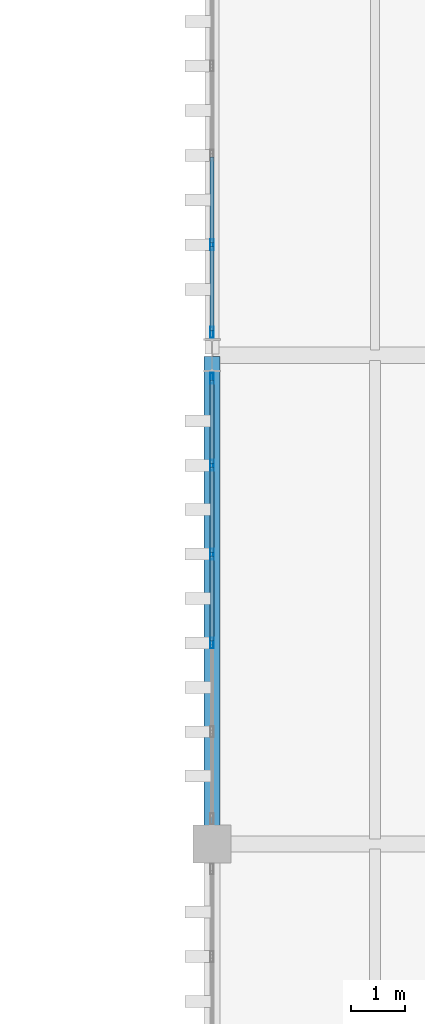
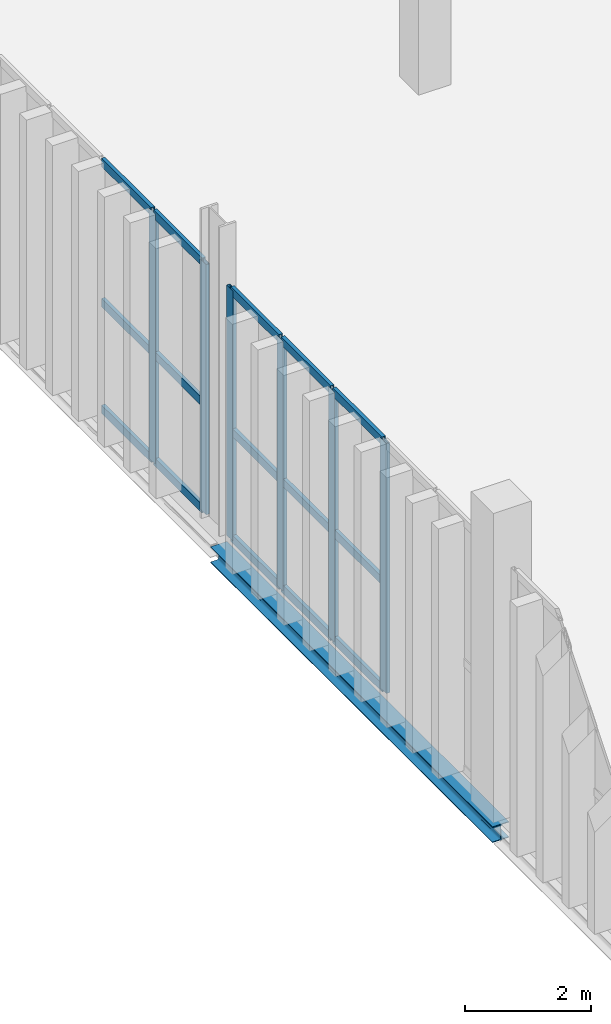
# One storey, part 76 of 237: 21 members, 1 beam, 2 elements without a shape of their own.
"""IFC4 building model written with IfcOpenShell, lengths in metres."""

import ifcopenshell
import ifcopenshell.guid

model = None  # the IFC model being written
_history = None  # IfcOwnerHistory: only IFC2X3 demands one
_inside = {}  # id of a spatial element -> (the spatial element, [elements in it])
_under = {}  # id of a project, library or spatial element -> (it, [spatial elements below it])
_declared = {}  # id of a project -> (the project, [libraries it declares])
_typed = {}  # id of a type object -> (the type object, [elements of that type])
_made_of = {}  # id of a material, layer set ... -> (it, [elements and type objects made of it])


def new_model(schema):
    """Start an empty IFC model of exactly this schema.

    Asked for "IFC4X3", IfcOpenShell would pick the latest addendum, in which some entities
    have other attributes; the version numbers below select the first issue.
    IFC2X3 requires an IfcOwnerHistory on every rooted entity: one is made here for all.
    """
    global model, _history
    if schema == "IFC4X3":
        model = ifcopenshell.file(schema_version=(4, 3, 0, 0))
    else:
        model = ifcopenshell.file(schema=schema)
    _inside.clear()
    _under.clear()
    _declared.clear()
    _typed.clear()
    _made_of.clear()
    _history = None
    if model.schema == "IFC2X3":
        org = make("IfcOrganization", Name="unknown")
        user = make(
            "IfcPersonAndOrganization",
            ThePerson=make("IfcPerson", FamilyName="unknown"),
            TheOrganization=org,
        )
        app = make(
            "IfcApplication",
            ApplicationDeveloper=org,
            Version="unknown",
            ApplicationFullName="unknown",
            ApplicationIdentifier="unknown",
        )
        _history = make(
            "IfcOwnerHistory",
            OwningUser=user,
            OwningApplication=app,
            ChangeAction="ADDED",
            CreationDate=0,
        )
    return model


def make(cls, **values):
    """One entity of the class cls with the attributes given. An attribute that is None is left unset."""
    return model.create_entity(
        cls, **{name: value for name, value in values.items() if value is not None}
    )


def rooted(cls, **values):
    """An entity with a GlobalId (a new one), such as an element, a storey or a relation."""
    return make(cls, GlobalId=ifcopenshell.guid.new(), OwnerHistory=_history, **values)


def si_unit(unit_type, name, prefix=None):
    """IfcSIUnit, for example si_unit("LENGTHUNIT", "METRE", prefix="MILLI")."""
    return make("IfcSIUnit", UnitType=unit_type, Prefix=prefix, Name=name)


def assignment(units):
    """IfcUnitAssignment: the units of a project."""
    return None if units is None else make("IfcUnitAssignment", Units=units)


def point(xyz):
    """IfcCartesianPoint."""
    return None if xyz is None else make("IfcCartesianPoint", Coordinates=xyz)


def direction(xyz):
    """IfcDirection."""
    return None if xyz is None else make("IfcDirection", DirectionRatios=xyz)


def frame(location, z_axis=None, x_axis=None):
    """IfcAxis2Placement3D, a coordinate frame: its origin and axes. An axis left out is left unset."""
    return make(
        "IfcAxis2Placement3D",
        Location=point(location),
        Axis=direction(z_axis),
        RefDirection=direction(x_axis),
    )


def frame_2d(location, x_axis=None):
    """IfcAxis2Placement2D, a coordinate frame in the plane: its origin and x axis."""
    return make(
        "IfcAxis2Placement2D", Location=point(location), RefDirection=direction(x_axis)
    )


def origin():
    """The frame at (0, 0, 0) with its axes left unset."""
    return frame((0.0, 0.0, 0.0))


def origin_2d():
    """The frame at (0, 0) in the plane with its x axis left unset."""
    return frame_2d((0.0, 0.0))


def place(relative_to, where):
    """IfcLocalPlacement: puts the frame where relative to a parent placement (None: the world)."""
    return make(
        "IfcLocalPlacement", PlacementRelTo=relative_to, RelativePlacement=where
    )


def context(
    kind, dimensions, precision=None, world=None, true_north=None, identifier=None
):
    """IfcGeometricRepresentationContext, for example the 3D "Model" context."""
    return make(
        "IfcGeometricRepresentationContext",
        ContextIdentifier=identifier,
        ContextType=kind,
        CoordinateSpaceDimension=dimensions,
        Precision=precision,
        WorldCoordinateSystem=world,
        TrueNorth=true_north,
    )


def subcontext(parent, identifier, kind, view, scale=None):
    """IfcGeometricRepresentationSubContext, for example "Body" below "Model"."""
    return make(
        "IfcGeometricRepresentationSubContext",
        ContextIdentifier=identifier,
        ContextType=kind,
        ParentContext=parent,
        TargetScale=scale,
        TargetView=view,
    )


def project(units=None, contexts=None):
    """IfcProject with its units and contexts."""
    return rooted(
        "IfcProject",
        Name="project",
        RepresentationContexts=contexts,
        UnitsInContext=assignment(units),
    )


def spatial(cls, under=None, at=None, **own):
    """A site, building, storey or space (cls), placed at a placement, below another one or the project."""
    s = rooted(cls, ObjectPlacement=at, **own)
    if under is not None:
        _under.setdefault(under.id(), (under, []))[1].append(s)
    return s


def profile(cls, at=None, kind="AREA", **sizes):
    """A parametric profile (cls). Its sizes go by their IFC names, for example OverallWidth=200.0."""
    return make(cls, ProfileType=kind, Position=at, **sizes)


def hollow_rectangle(**sizes):
    """IfcRectangleHollowProfileDef."""
    return profile("IfcRectangleHollowProfileDef", **sizes)


def i_section(**sizes):
    """IfcIShapeProfileDef."""
    return profile("IfcIShapeProfileDef", **sizes)


def extrude(swept, where, along, depth):
    """IfcExtrudedAreaSolid: the profile swept, set in the frame where, extruded along a direction by depth."""
    return make(
        "IfcExtrudedAreaSolid",
        SweptArea=swept,
        Position=where,
        ExtrudedDirection=direction(along),
        Depth=depth,
    )


def shape(context_of_items, identifier, shape_type, items):
    """IfcShapeRepresentation: the items that make up one representation, for example the "Body"."""
    return make(
        "IfcShapeRepresentation",
        ContextOfItems=context_of_items,
        RepresentationIdentifier=identifier,
        RepresentationType=shape_type,
        Items=items,
    )


def material(Name=None, Category=None):
    """IfcMaterial."""
    return make("IfcMaterial", Name=Name, Category=Category)


def layer(
    of_material, thickness, ventilated=None, Name=None, Category=None, Priority=None
):
    """IfcMaterialLayer: one layer of a wall or slab, of a material (None: an air gap)."""
    return make(
        "IfcMaterialLayer",
        Material=of_material,
        LayerThickness=thickness,
        IsVentilated=ventilated,
        Name=Name,
        Category=Category,
        Priority=Priority,
    )


def layer_set(layers, Name=None):
    """IfcMaterialLayerSet."""
    return make("IfcMaterialLayerSet", MaterialLayers=layers, LayerSetName=Name)


def material_profile(
    of_material, cross_section, Name=None, Category=None, Priority=None
):
    """IfcMaterialProfile: a cross section and its material."""
    return make(
        "IfcMaterialProfile",
        Name=Name,
        Material=of_material,
        Profile=cross_section,
        Priority=Priority,
        Category=Category,
    )


def profile_set(profiles, Name=None, composite=None):
    """IfcMaterialProfileSet."""
    return make(
        "IfcMaterialProfileSet",
        Name=Name,
        MaterialProfiles=profiles,
        CompositeProfile=composite,
    )


def made_of(thing, what):
    """Note that an element or type object is made of a material, layer set ...; save() writes the relation."""
    if what is not None:
        _made_of.setdefault(what.id(), (what, []))[1].append(thing)
    return thing


def type_object(cls, material=None, **own):
    """A type object (cls), such as IfcWallType, which elements share."""
    return made_of(rooted(cls, **own), material)


def element(
    cls,
    number,
    at=None,
    inside=None,
    cuts=None,
    type_object=None,
    material=None,
    context=None,
    identifier="Body",
    shape_type=None,
    held_by="IfcProductDefinitionShape",
    body=None,
    shapes=None,
    **own,
):
    """One element of the class cls, such as IfcWall. Its Tag is "e" and its number.

    at: its placement. inside: the storey or other place that contains it. cuts: it is an
    opening in that element (IfcRelVoidsElement). A single representation is given by context,
    identifier, shape_type and body (its items); several are given by shapes. held_by: the class
    of the entity that holds the representations. save() writes the other relations.
    """
    e = rooted(cls, Tag="e%d" % number, ObjectPlacement=at, **own)
    if body is not None:
        shapes = [shape(context, identifier, shape_type, body)]
    if shapes is not None:
        e.Representation = make(held_by, Representations=shapes)
    if inside is not None:
        _inside.setdefault(inside.id(), (inside, []))[1].append(e)
    if cuts is not None:
        rooted(
            "IfcRelVoidsElement", RelatingBuildingElement=cuts, RelatedOpeningElement=e
        )
    if type_object is not None:
        _typed.setdefault(type_object.id(), (type_object, []))[1].append(e)
    return made_of(e, material)


def aggregate(whole, parts):
    """IfcRelAggregates: a whole, such as a stair, and the parts it consists of."""
    return rooted("IfcRelAggregates", RelatingObject=whole, RelatedObjects=parts)


def save(model, path):
    """Write the relations noted so far, then the file.

    IfcRelAggregates (storeys below a building ...), IfcRelContainedInSpatialStructure (elements
    in a storey), IfcRelDefinesByType, IfcRelAssociatesMaterial and IfcRelDeclares: one each for
    every whole, place, type object, material and project.
    """
    for whole, parts in _under.values():
        aggregate(whole, parts)
    for where, things in _inside.values():
        rooted(
            "IfcRelContainedInSpatialStructure",
            RelatedElements=things,
            RelatingStructure=where,
        )
    for kind, things in _typed.values():
        rooted("IfcRelDefinesByType", RelatedObjects=things, RelatingType=kind)
    for what, things in _made_of.values():
        rooted("IfcRelAssociatesMaterial", RelatedObjects=things, RelatingMaterial=what)
    for by, libraries in _declared.values():
        rooted("IfcRelDeclares", RelatingContext=by, RelatedDefinitions=libraries)
    model.write(path)


model = new_model("IFC4")

# Units and contexts
model_context = context("Model", 3, precision=1e-05, world=origin(), true_north=direction((0.0, 1.0)))
body_context = subcontext(model_context, "Body", "Model", "MODEL_VIEW")
ifc_project = project(units=[si_unit("LENGTHUNIT", "METRE"), si_unit("AREAUNIT", "SQUARE_METRE"), si_unit("VOLUMEUNIT", "CUBIC_METRE"), si_unit("PLANEANGLEUNIT", "RADIAN"), si_unit("MASSUNIT", "GRAM", prefix="KILO")], contexts=[model_context])

# Site, building, storey
site_placement = place(None, origin())
site = spatial("IfcSite", under=ifc_project, at=site_placement, CompositionType="ELEMENT")
building_placement = place(site_placement, origin())
building = spatial("IfcBuilding", under=site, at=building_placement, Name="Barlavento Convention Centre", CompositionType="ELEMENT")
storey_placement = place(building_placement, frame((0.0, 0.0, 12.0)))
storey = spatial("IfcBuildingStorey", under=building, at=storey_placement, Name="L02", CompositionType="ELEMENT", Elevation=12.0)

# Curtain wall, members
ifc_material_1 = material(Name="Powder-coated aluminium and Low-E glass", Category="aluminium")
ifc_layer = layer(ifc_material_1, 0.195068359375)
ifc_layer_set = layer_set([ifc_layer], Name="ARC-CW-BALL-L02")
curtain_wall_type = type_object("IfcCurtainWallType", Name="ARC-CW-BALL-L02", PredefinedType="NOTDEFINED", material=ifc_layer_set)
curtain_wall_1_placement = place(storey_placement, origin())
curtain_wall_1 = element("IfcCurtainWall", 1, at=curtain_wall_1_placement, inside=storey, type_object=curtain_wall_type, Name="L02 unitised curtain wall CW07", PredefinedType="NOTDEFINED")
ifc_material_2 = material(Name="Powder-coated aluminium", Category="aluminium")
ifc_material_profile_1 = material_profile(ifc_material_2, hollow_rectangle(XDim=0.06494140625, YDim=0.199951171875, WallThickness=0.0048828125, at=origin_2d()), Name="AL-MULL 65x200x5")
ifc_profile_set_1 = profile_set([ifc_material_profile_1], Name="Powder-coated aluminium")
member_type_1 = type_object("IfcMemberType", Name="ARC-CWM-65X200", PredefinedType="MULLION", material=ifc_profile_set_1)
member_1_placement = place(storey_placement, frame((126.0, 21.701904296875, 0.0), z_axis=(0.0, 0.0, 1.0), x_axis=(-1.0, 0.0, 0.0)))
member_1 = element("IfcMember", 2, at=member_1_placement, type_object=member_type_1, Name="CW07 mullion 3", PredefinedType="MULLION", context=body_context, shape_type="SweptSolid", body=[
    extrude(hollow_rectangle(XDim=0.06494140625, YDim=0.199951171875, WallThickness=0.0048828125, at=origin_2d()), origin(), (0.0, 0.0, 1.0), 4.85009765625),
])
member_2_placement = place(storey_placement, frame((126.0, 23.337890625, 0.0), z_axis=(0.0, 0.0, 1.0), x_axis=(-1.0, 0.0, 0.0)))
member_2 = element("IfcMember", 3, at=member_2_placement, type_object=member_type_1, Name="CW07 mullion 4", PredefinedType="MULLION", context=body_context, shape_type="SweptSolid", body=[
    extrude(hollow_rectangle(XDim=0.06494140625, YDim=0.199951171875, WallThickness=0.0048828125, at=origin_2d()), origin(), (0.0, 0.0, 1.0), 4.85009765625),
])
member_3_placement = place(storey_placement, frame((126.0, 24.97412109375, 0.0), z_axis=(0.0, 0.0, 1.0), x_axis=(-1.0, 0.0, 0.0)))
member_3 = element("IfcMember", 4, at=member_3_placement, type_object=member_type_1, Name="CW07 mullion 5", PredefinedType="MULLION", context=body_context, shape_type="SweptSolid", body=[
    extrude(hollow_rectangle(XDim=0.06494140625, YDim=0.199951171875, WallThickness=0.0048828125, at=origin_2d()), origin(), (0.0, 0.0, 1.0), 4.85009765625),
])
member_4_placement = place(storey_placement, frame((126.0, 26.577392578125, 0.0), z_axis=(0.0, 0.0, 1.0), x_axis=(-1.0, 0.0, 0.0)))
member_4 = element("IfcMember", 5, at=member_4_placement, type_object=member_type_1, Name="CW07 mullion 6", PredefinedType="MULLION", context=body_context, shape_type="SweptSolid", body=[
    extrude(hollow_rectangle(XDim=0.06494140625, YDim=0.199951171875, WallThickness=0.0048828125, at=origin_2d()), origin(), (0.0, 0.0, 1.0), 4.85009765625),
])

curtain_wall_2_placement = place(storey_placement, origin())
curtain_wall_2 = element("IfcCurtainWall", 6, at=curtain_wall_2_placement, inside=storey, type_object=curtain_wall_type, Name="L02 unitised curtain wall CW07", PredefinedType="NOTDEFINED")
member_5_placement = place(storey_placement, frame((126.0, 27.422607421875, 0.0), z_axis=(0.0, 0.0, 1.0), x_axis=(-1.0, 0.0, 0.0)))
member_5 = element("IfcMember", 7, at=member_5_placement, type_object=member_type_1, Name="CW07 mullion 1", PredefinedType="MULLION", context=body_context, shape_type="SweptSolid", body=[
    extrude(hollow_rectangle(XDim=0.06494140625, YDim=0.199951171875, WallThickness=0.0048828125, at=origin_2d()), origin(), (0.0, 0.0, 1.0), 4.85009765625),
])
member_6_placement = place(storey_placement, frame((126.0, 29.035888671875, 0.0), z_axis=(0.0, 0.0, 1.0), x_axis=(-1.0, 0.0, 0.0)))
member_6 = element("IfcMember", 8, at=member_6_placement, type_object=member_type_1, Name="CW07 mullion 2", PredefinedType="MULLION", context=body_context, shape_type="SweptSolid", body=[
    extrude(hollow_rectangle(XDim=0.06494140625, YDim=0.199951171875, WallThickness=0.0048828125, at=origin_2d()), origin(), (0.0, 0.0, 1.0), 4.85009765625),
])

# Member
ifc_material_profile_2 = material_profile(ifc_material_2, hollow_rectangle(XDim=0.06494140625, YDim=0.159912109375, WallThickness=0.0048828125, at=origin_2d()), Name="AL-TRAN 65x160x5")
ifc_profile_set_2 = profile_set([ifc_material_profile_2], Name="Powder-coated aluminium")
member_type_2 = type_object("IfcMemberType", Name="ARC-CWT-65X160", PredefinedType="USERDEFINED", material=ifc_profile_set_2)
member_7_placement = place(storey_placement, frame((126.0, 21.734619140625, 0.032470703125), z_axis=(0.0, 1.0, 0.0), x_axis=(-1.0, 0.0, 0.0)))
member_7 = element("IfcMember", 9, at=member_7_placement, type_object=member_type_2, Name="CW07 transom 3.1", ObjectType="TRANSOM", PredefinedType="USERDEFINED", context=body_context, shape_type="SweptSolid", body=[
    extrude(hollow_rectangle(XDim=0.06494140625, YDim=0.159912109375, WallThickness=0.0048828125, at=origin_2d()), origin(), (0.0, 0.0, 1.0), 1.57080078125),
])

member_8_placement = place(storey_placement, frame((126.0, 21.734619140625, 2.10009765625), z_axis=(0.0, 1.0, 0.0), x_axis=(-1.0, 0.0, 0.0)))
member_8 = element("IfcMember", 10, at=member_8_placement, type_object=member_type_2, Name="CW07 transom 3.2", ObjectType="TRANSOM", PredefinedType="USERDEFINED", context=body_context, shape_type="SweptSolid", body=[
    extrude(hollow_rectangle(XDim=0.06494140625, YDim=0.159912109375, WallThickness=0.0048828125, at=origin_2d()), origin(), (0.0, 0.0, 1.0), 1.57080078125),
])

member_9_placement = place(storey_placement, frame((126.0, 21.734619140625, 4.8173828125), z_axis=(0.0, 1.0, 0.0), x_axis=(-1.0, 0.0, 0.0)))
member_9 = element("IfcMember", 11, at=member_9_placement, type_object=member_type_2, Name="CW07 transom 3.3", ObjectType="TRANSOM", PredefinedType="USERDEFINED", context=body_context, shape_type="SweptSolid", body=[
    extrude(hollow_rectangle(XDim=0.06494140625, YDim=0.159912109375, WallThickness=0.0048828125, at=origin_2d()), origin(), (0.0, 0.0, 1.0), 1.57080078125),
])

member_10_placement = place(storey_placement, frame((126.0, 23.37060546875, 0.032470703125), z_axis=(0.0, 1.0, 0.0), x_axis=(-1.0, 0.0, 0.0)))
member_10 = element("IfcMember", 12, at=member_10_placement, type_object=member_type_2, Name="CW07 transom 4.1", ObjectType="TRANSOM", PredefinedType="USERDEFINED", context=body_context, shape_type="SweptSolid", body=[
    extrude(hollow_rectangle(XDim=0.06494140625, YDim=0.159912109375, WallThickness=0.0048828125, at=origin_2d()), origin(), (0.0, 0.0, 1.0), 1.57080078125),
])

member_11_placement = place(storey_placement, frame((126.0, 23.37060546875, 2.10009765625), z_axis=(0.0, 1.0, 0.0), x_axis=(-1.0, 0.0, 0.0)))
member_11 = element("IfcMember", 13, at=member_11_placement, type_object=member_type_2, Name="CW07 transom 4.2", ObjectType="TRANSOM", PredefinedType="USERDEFINED", context=body_context, shape_type="SweptSolid", body=[
    extrude(hollow_rectangle(XDim=0.06494140625, YDim=0.159912109375, WallThickness=0.0048828125, at=origin_2d()), origin(), (0.0, 0.0, 1.0), 1.57080078125),
])

member_12_placement = place(storey_placement, frame((126.0, 23.37060546875, 4.8173828125), z_axis=(0.0, 1.0, 0.0), x_axis=(-1.0, 0.0, 0.0)))
member_12 = element("IfcMember", 14, at=member_12_placement, type_object=member_type_2, Name="CW07 transom 4.3", ObjectType="TRANSOM", PredefinedType="USERDEFINED", context=body_context, shape_type="SweptSolid", body=[
    extrude(hollow_rectangle(XDim=0.06494140625, YDim=0.159912109375, WallThickness=0.0048828125, at=origin_2d()), origin(), (0.0, 0.0, 1.0), 1.57080078125),
])

member_13_placement = place(storey_placement, frame((126.0, 25.006591796875, 0.032470703125), z_axis=(0.0, 1.0, 0.0), x_axis=(-1.0, 0.0, 0.0)))
member_13 = element("IfcMember", 15, at=member_13_placement, type_object=member_type_2, Name="CW07 transom 5.1", ObjectType="TRANSOM", PredefinedType="USERDEFINED", context=body_context, shape_type="SweptSolid", body=[
    extrude(hollow_rectangle(XDim=0.06494140625, YDim=0.159912109375, WallThickness=0.0048828125, at=origin_2d()), origin(), (0.0, 0.0, 1.0), 1.538330078125),
])

member_14_placement = place(storey_placement, frame((126.0, 25.006591796875, 2.10009765625), z_axis=(0.0, 1.0, 0.0), x_axis=(-1.0, 0.0, 0.0)))
member_14 = element("IfcMember", 16, at=member_14_placement, type_object=member_type_2, Name="CW07 transom 5.2", ObjectType="TRANSOM", PredefinedType="USERDEFINED", context=body_context, shape_type="SweptSolid", body=[
    extrude(hollow_rectangle(XDim=0.06494140625, YDim=0.159912109375, WallThickness=0.0048828125, at=origin_2d()), origin(), (0.0, 0.0, 1.0), 1.538330078125),
])

member_15_placement = place(storey_placement, frame((126.0, 25.006591796875, 4.8173828125), z_axis=(0.0, 1.0, 0.0), x_axis=(-1.0, 0.0, 0.0)))
member_15 = element("IfcMember", 17, at=member_15_placement, type_object=member_type_2, Name="CW07 transom 5.3", ObjectType="TRANSOM", PredefinedType="USERDEFINED", context=body_context, shape_type="SweptSolid", body=[
    extrude(hollow_rectangle(XDim=0.06494140625, YDim=0.159912109375, WallThickness=0.0048828125, at=origin_2d()), origin(), (0.0, 0.0, 1.0), 1.538330078125),
])

aggregate(curtain_wall_1, [member_1, member_2, member_3, member_4, member_7, member_8, member_9, member_10, member_11, member_12, member_13, member_14, member_15])

member_16_placement = place(storey_placement, frame((126.0, 27.455078125, 0.032470703125), z_axis=(0.0, 1.0, 0.0), x_axis=(-1.0, 0.0, 0.0)))
member_16 = element("IfcMember", 18, at=member_16_placement, type_object=member_type_2, Name="CW07 transom 1.1", ObjectType="TRANSOM", PredefinedType="USERDEFINED", context=body_context, shape_type="SweptSolid", body=[
    extrude(hollow_rectangle(XDim=0.06494140625, YDim=0.159912109375, WallThickness=0.0048828125, at=origin_2d()), origin(), (0.0, 0.0, 1.0), 1.54833984375),
])

member_17_placement = place(storey_placement, frame((126.0, 27.455078125, 2.10009765625), z_axis=(0.0, 1.0, 0.0), x_axis=(-1.0, 0.0, 0.0)))
member_17 = element("IfcMember", 19, at=member_17_placement, type_object=member_type_2, Name="CW07 transom 1.2", ObjectType="TRANSOM", PredefinedType="USERDEFINED", context=body_context, shape_type="SweptSolid", body=[
    extrude(hollow_rectangle(XDim=0.06494140625, YDim=0.159912109375, WallThickness=0.0048828125, at=origin_2d()), origin(), (0.0, 0.0, 1.0), 1.54833984375),
])

member_18_placement = place(storey_placement, frame((126.0, 27.455078125, 4.8173828125), z_axis=(0.0, 1.0, 0.0), x_axis=(-1.0, 0.0, 0.0)))
member_18 = element("IfcMember", 20, at=member_18_placement, type_object=member_type_2, Name="CW07 transom 1.3", ObjectType="TRANSOM", PredefinedType="USERDEFINED", context=body_context, shape_type="SweptSolid", body=[
    extrude(hollow_rectangle(XDim=0.06494140625, YDim=0.159912109375, WallThickness=0.0048828125, at=origin_2d()), origin(), (0.0, 0.0, 1.0), 1.54833984375),
])

member_19_placement = place(storey_placement, frame((126.0, 29.068603515625, 0.032470703125), z_axis=(0.0, 1.0, 0.0), x_axis=(-1.0, 0.0, 0.0)))
member_19 = element("IfcMember", 21, at=member_19_placement, type_object=member_type_2, Name="CW07 transom 2.1", ObjectType="TRANSOM", PredefinedType="USERDEFINED", context=body_context, shape_type="SweptSolid", body=[
    extrude(hollow_rectangle(XDim=0.06494140625, YDim=0.159912109375, WallThickness=0.0048828125, at=origin_2d()), origin(), (0.0, 0.0, 1.0), 1.580810546875),
])

member_20_placement = place(storey_placement, frame((126.0, 29.068603515625, 2.10009765625), z_axis=(0.0, 1.0, 0.0), x_axis=(-1.0, 0.0, 0.0)))
member_20 = element("IfcMember", 22, at=member_20_placement, type_object=member_type_2, Name="CW07 transom 2.2", ObjectType="TRANSOM", PredefinedType="USERDEFINED", context=body_context, shape_type="SweptSolid", body=[
    extrude(hollow_rectangle(XDim=0.06494140625, YDim=0.159912109375, WallThickness=0.0048828125, at=origin_2d()), origin(), (0.0, 0.0, 1.0), 1.580810546875),
])

member_21_placement = place(storey_placement, frame((126.0, 29.068603515625, 4.8173828125), z_axis=(0.0, 1.0, 0.0), x_axis=(-1.0, 0.0, 0.0)))
member_21 = element("IfcMember", 23, at=member_21_placement, type_object=member_type_2, Name="CW07 transom 2.3", ObjectType="TRANSOM", PredefinedType="USERDEFINED", context=body_context, shape_type="SweptSolid", body=[
    extrude(hollow_rectangle(XDim=0.06494140625, YDim=0.159912109375, WallThickness=0.0048828125, at=origin_2d()), origin(), (0.0, 0.0, 1.0), 1.580810546875),
])

aggregate(curtain_wall_2, [member_5, member_6, member_16, member_17, member_18, member_19, member_20, member_21])

# Beam
ifc_material_3 = material(Name="Steel S355", Category="steel")
ifc_material_profile_3 = material_profile(ifc_material_3, i_section(OverallWidth=0.300048828125, OverallDepth=0.31005859375, WebThickness=0.009033203125, FlangeThickness=0.015380859375, FilletRadius=0.027099609375, at=origin_2d()), Name="HEA 320")
ifc_profile_set_3 = profile_set([ifc_material_profile_3], Name="Steel S355")
beam_type = type_object("IfcBeamType", Name="STR-BM-SPN-HEA320", PredefinedType="SPANDREL", material=ifc_profile_set_3)
beam_placement = place(storey_placement, frame((126.0, 18.02001953125, -0.52490234375), z_axis=(0.0, 1.0, 0.0), x_axis=(-1.0, 0.0, 0.0)))
element("IfcBeam", 24, at=beam_placement, inside=storey, type_object=beam_type, Name="L02 grid girder SP01", PredefinedType="SPANDREL", context=body_context, shape_type="SweptSolid", body=[
    extrude(i_section(OverallWidth=0.300048828125, OverallDepth=0.31005859375, WebThickness=0.009033203125, FlangeThickness=0.015380859375, FilletRadius=0.027099609375, at=origin_2d()), origin(), (0.0, 0.0, 1.0), 8.9599609375),
])

save(model, "model.ifc")
